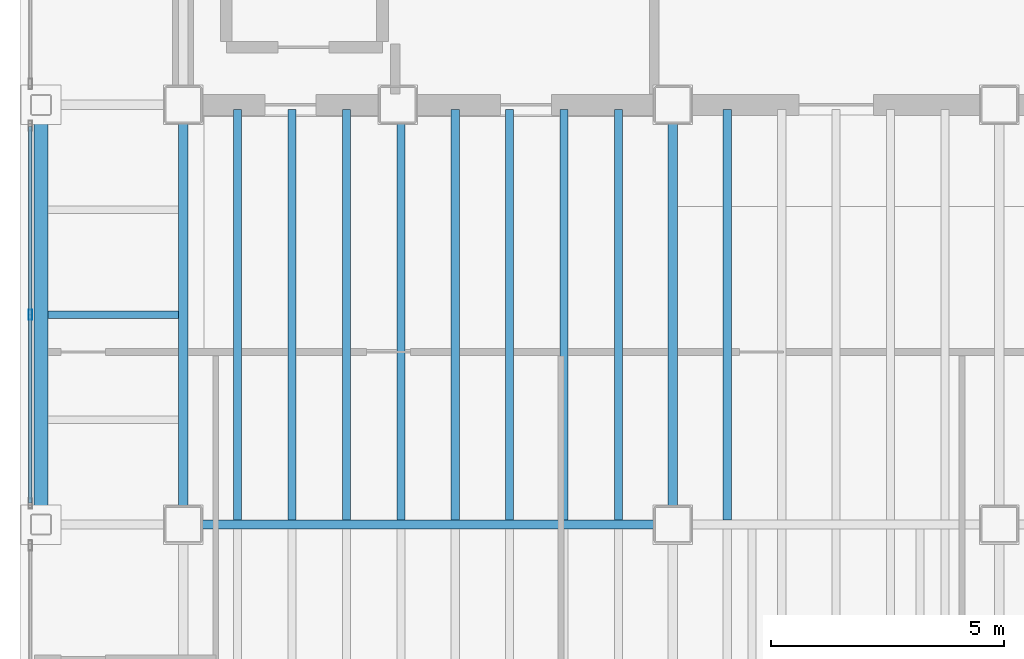
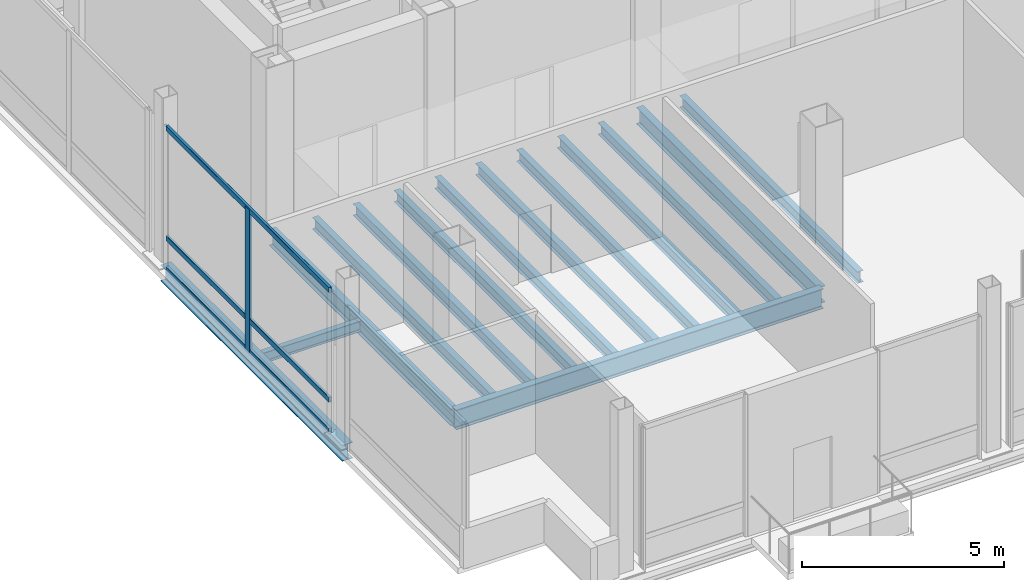
# One storey, part 3 of 15: 14 beams, 4 members, 1 element without a shape of its own.
"""IFC4 building model written with IfcOpenShell, lengths in metres."""

from ifc_helpers import new_model, si_unit, direction, frame, origin, origin_2d, place, context, subcontext, project, spatial, hollow_rectangle, i_section, extrude, material, material_profile, profile_set, type_object, element, aggregate, save


model = new_model("IFC4")

# Units and contexts
model_context = context("Model", 3, precision=1e-05, world=origin(), true_north=direction((0.0, 1.0)))
body_context = subcontext(model_context, "Body", "Model", "MODEL_VIEW")
ifc_project = project(units=[si_unit("LENGTHUNIT", "METRE"), si_unit("AREAUNIT", "SQUARE_METRE"), si_unit("VOLUMEUNIT", "CUBIC_METRE"), si_unit("PLANEANGLEUNIT", "RADIAN"), si_unit("MASSUNIT", "GRAM", prefix="KILO")], contexts=[model_context])

# Site, building, storey
site_placement = place(None, origin())
site = spatial("IfcSite", under=ifc_project, at=site_placement, CompositionType="ELEMENT")
building_placement = place(site_placement, origin())
building = spatial("IfcBuilding", under=site, at=building_placement, Name="Noeulbin Bourse Tower", CompositionType="ELEMENT")
storey_placement = place(building_placement, frame((0.0, 0.0, 206.10009765625)))
storey = spatial("IfcBuildingStorey", under=building, at=storey_placement, Name="L51", CompositionType="ELEMENT", Elevation=206.10009765625)

# Beams
ifc_material_1 = material(Name="Steel S355", Category="steel")
ifc_material_profile_1 = material_profile(ifc_material_1, i_section(OverallWidth=0.199951171875, OverallDepth=0.5, WebThickness=0.010009765625, FlangeThickness=0.01611328125, FilletRadius=0.02001953125, at=origin_2d()), Name="H-500x200x10x16", Category="LoadBearing")
ifc_profile_set_1 = profile_set([ifc_material_profile_1], Name="Steel S355")
beam_type_1 = type_object("IfcBeamType", Name="BM-GRD-500", PredefinedType="USERDEFINED", material=ifc_profile_set_1)
for number, where, z_axis, x_axis, name in (
    (1, (13.5, 20.0, -0.43017578125), (0.0, 1.0, 0.0), (-1.0, 0.0, 0.0), "Tower Primary Girder NS L51-1.2"),
    (2, (24.0, 20.0, -0.43017578125), (0.0, 1.0, 0.0), (-1.0, 0.0, 0.0), "Tower Primary Girder NS L51-2.2"),
):
    element("IfcBeam", number, at=place(storey_placement, frame(where, z_axis=z_axis, x_axis=x_axis)), inside=storey, type_object=beam_type_1, Name=name, ObjectType="GIRDER", PredefinedType="USERDEFINED", context=body_context, shape_type="SweptSolid", body=[
        extrude(i_section(OverallWidth=0.199951171875, OverallDepth=0.5, WebThickness=0.010009765625, FlangeThickness=0.01611328125, FilletRadius=0.02001953125, at=origin_2d()), origin(), (0.0, 0.0, 1.0), 9.0),
    ])
ifc_material_profile_2 = material_profile(ifc_material_1, i_section(OverallWidth=0.199951171875, OverallDepth=0.60009765625, WebThickness=0.010986328125, FlangeThickness=0.01708984375, FilletRadius=0.02197265625, at=origin_2d()), Name="H-600x200x11x17", Category="LoadBearing")
ifc_profile_set_2 = profile_set([ifc_material_profile_2], Name="Steel S355")
beam_type_2 = type_object("IfcBeamType", Name="BM-GRD-600", PredefinedType="USERDEFINED", material=ifc_profile_set_2)
beam_1_placement = place(storey_placement, frame((13.5, 20.0, -0.47998046875), z_axis=(1.0, 0.0, 0.0), x_axis=(0.0, 1.0, 0.0)))
element("IfcBeam", 3, at=beam_1_placement, inside=storey, type_object=beam_type_2, Name="Tower Primary Girder EW L51-1.2", ObjectType="GIRDER", PredefinedType="USERDEFINED", context=body_context, shape_type="SweptSolid", body=[
    extrude(i_section(OverallWidth=0.199951171875, OverallDepth=0.60009765625, WebThickness=0.010986328125, FlangeThickness=0.01708984375, FilletRadius=0.02197265625, at=origin_2d()), origin(), (0.0, 0.0, 1.0), 10.5),
])
ifc_material_profile_3 = material_profile(ifc_material_1, i_section(OverallWidth=0.159912109375, OverallDepth=0.320068359375, WebThickness=0.006591796875, FlangeThickness=0.010009765625, FilletRadius=0.012939453125, at=origin_2d()), Name="H-320x160x6.5x10", Category="LoadBearing")
ifc_profile_set_3 = profile_set([ifc_material_profile_3], Name="Steel S355")
beam_type_3 = type_object("IfcBeamType", Name="BM-JST-320", PredefinedType="JOIST", material=ifc_profile_set_3)
beam_2_placement = place(storey_placement, frame((10.60009765625, 24.5, -0.340087890625), z_axis=(1.0, 0.0, 0.0), x_axis=(0.0, 1.0, 0.0)))
element("IfcBeam", 4, at=beam_2_placement, inside=storey, type_object=beam_type_3, Name="Wing Composite Joist L51-W48", PredefinedType="JOIST", context=body_context, shape_type="SweptSolid", body=[
    extrude(i_section(OverallWidth=0.159912109375, OverallDepth=0.320068359375, WebThickness=0.006591796875, FlangeThickness=0.010009765625, FilletRadius=0.012939453125, at=origin_2d()), origin(), (0.0, 0.0, 1.0), 2.7998046875),
])
ifc_material_profile_4 = material_profile(ifc_material_1, i_section(OverallWidth=0.175048828125, OverallDepth=0.35009765625, WebThickness=0.007080078125, FlangeThickness=0.010986328125, FilletRadius=0.013916015625, at=origin_2d()), Name="H-350x175x7x11", Category="LoadBearing")
ifc_profile_set_4 = profile_set([ifc_material_profile_4], Name="Steel S355")
beam_type_4 = type_object("IfcBeamType", Name="BM-JST-350", PredefinedType="JOIST", material=ifc_profile_set_4)
for number, where, z_axis, x_axis, name in (
    (5, (14.666748046875, 20.10009765625, -0.35498046875), (0.0, 1.0, 0.0), (-1.0, 0.0, 0.0), "Tower Composite Joist L51-02"),
    (6, (15.833251953125, 20.10009765625, -0.35498046875), (0.0, 1.0, 0.0), (-1.0, 0.0, 0.0), "Tower Composite Joist L51-04"),
    (7, (17.0, 20.10009765625, -0.35498046875), (0.0, 1.0, 0.0), (-1.0, 0.0, 0.0), "Tower Composite Joist L51-06"),
    (8, (18.166748046875, 20.10009765625, -0.35498046875), (0.0, 1.0, 0.0), (-1.0, 0.0, 0.0), "Tower Composite Joist L51-08"),
    (9, (19.333251953125, 20.10009765625, -0.35498046875), (0.0, 1.0, 0.0), (-1.0, 0.0, 0.0), "Tower Composite Joist L51-10"),
    (10, (20.5, 20.10009765625, -0.35498046875), (0.0, 1.0, 0.0), (-1.0, 0.0, 0.0), "Tower Composite Joist L51-12"),
    (11, (21.666748046875, 20.10009765625, -0.35498046875), (0.0, 1.0, 0.0), (-1.0, 0.0, 0.0), "Tower Composite Joist L51-14"),
    (12, (22.833251953125, 20.10009765625, -0.35498046875), (0.0, 1.0, 0.0), (-1.0, 0.0, 0.0), "Tower Composite Joist L51-16"),
    (13, (25.166748046875, 20.10009765625, -0.35498046875), (0.0, 1.0, 0.0), (-1.0, 0.0, 0.0), "Tower Composite Joist L51-18"),
):
    element("IfcBeam", number, at=place(storey_placement, frame(where, z_axis=z_axis, x_axis=x_axis)), inside=storey, type_object=beam_type_4, Name=name, PredefinedType="JOIST", context=body_context, shape_type="SweptSolid", body=[
        extrude(i_section(OverallWidth=0.175048828125, OverallDepth=0.35009765625, WebThickness=0.007080078125, FlangeThickness=0.010986328125, FilletRadius=0.013916015625, at=origin_2d()), origin(), (0.0, 0.0, 1.0), 8.7998046875),
    ])
ifc_material_profile_5 = material_profile(ifc_material_1, i_section(OverallWidth=0.300048828125, OverallDepth=0.488037109375, WebThickness=0.010986328125, FlangeThickness=0.01806640625, FilletRadius=0.02197265625, at=origin_2d()), Name="H-488x300x11x18", Category="LoadBearing")
ifc_profile_set_5 = profile_set([ifc_material_profile_5], Name="Steel S355")
beam_type_5 = type_object("IfcBeamType", Name="BM-SPN-488", PredefinedType="SPANDREL", material=ifc_profile_set_5)
beam_3_placement = place(storey_placement, frame((10.449951171875, 20.0, -0.424072265625), z_axis=(0.0, 1.0, 0.0), x_axis=(-1.0, 0.0, 0.0)))
element("IfcBeam", 14, at=beam_3_placement, inside=storey, type_object=beam_type_5, Name="West Spandrel L51-1", PredefinedType="SPANDREL", context=body_context, shape_type="SweptSolid", body=[
    extrude(i_section(OverallWidth=0.300048828125, OverallDepth=0.488037109375, WebThickness=0.010986328125, FlangeThickness=0.01806640625, FilletRadius=0.02197265625, at=origin_2d()), origin(), (0.0, 0.0, 1.0), 9.0),
])

# Curtain wall, members
ifc_material_2 = material(Name="High-Selectivity Low-Iron Glazing", Category="glass")
curtain_wall_type = type_object("IfcCurtainWallType", Name="CW-SYS-4", PredefinedType="NOTDEFINED", material=ifc_material_2)
curtain_wall_placement = place(storey_placement, origin())
curtain_wall = element("IfcCurtainWall", 15, at=curtain_wall_placement, inside=storey, type_object=curtain_wall_type, Name="Unitised Curtain Wall CW-L51-W-S2", PredefinedType="NOTDEFINED")
ifc_material_3 = material(Name="Anodised Aluminium 6063-T6", Category="aluminium")
ifc_material_profile_6 = material_profile(ifc_material_3, hollow_rectangle(XDim=0.074951171875, YDim=0.219970703125, WallThickness=0.0048828125, InnerFilletRadius=0.00244140625, OuterFilletRadius=0.0048828125, at=origin_2d()), Name="ALU-MULL-75x220x5", Category="LoadBearing")
ifc_profile_set_6 = profile_set([ifc_material_profile_6], Name="Anodised Aluminium 6063-T6")
member_type_1 = type_object("IfcMemberType", Name="CW-SYS-4-MUL", PredefinedType="MULLION", material=ifc_profile_set_6)
member_1_placement = place(storey_placement, frame((10.219970703125, 24.5, -0.02001953125), z_axis=(0.0, 0.0, 1.0), x_axis=(1.0, 0.0, 0.0)))
member_1 = element("IfcMember", 16, at=member_1_placement, type_object=member_type_1, Name="Curtain Wall Mullion CW-L51-W-S2-M01", PredefinedType="MULLION", context=body_context, shape_type="SweptSolid", body=[
    extrude(hollow_rectangle(XDim=0.074951171875, YDim=0.219970703125, WallThickness=0.0048828125, InnerFilletRadius=0.00244140625, OuterFilletRadius=0.0048828125, at=origin_2d()), origin(), (0.0, 0.0, 1.0), 4.31982421875),
])
ifc_material_profile_7 = material_profile(ifc_material_3, hollow_rectangle(XDim=0.074951171875, YDim=0.159912109375, WallThickness=0.0048828125, InnerFilletRadius=0.00244140625, OuterFilletRadius=0.0048828125, at=origin_2d()), Name="ALU-TRAN-75x160x5", Category="LoadBearing")
ifc_profile_set_7 = profile_set([ifc_material_profile_7], Name="Anodised Aluminium 6063-T6")
member_type_2 = type_object("IfcMemberType", Name="CW-SYS-4-TRN", PredefinedType="USERDEFINED", material=ifc_profile_set_7)
member_2_placement = place(storey_placement, frame((10.219970703125, 20.4599609375, 0.010009765625), z_axis=(0.0, 1.0, 0.0), x_axis=(-1.0, 0.0, 0.0)))
member_2 = element("IfcMember", 17, at=member_2_placement, type_object=member_type_2, Name="Curtain Wall Transom CW-L51-W-S2-T00", ObjectType="TRANSOM", PredefinedType="USERDEFINED", context=body_context, shape_type="SweptSolid", body=[
    extrude(hollow_rectangle(XDim=0.074951171875, YDim=0.159912109375, WallThickness=0.0048828125, InnerFilletRadius=0.00244140625, OuterFilletRadius=0.0048828125, at=origin_2d()), origin(), (0.0, 0.0, 1.0), 8.080078125),
])
member_3_placement = place(storey_placement, frame((10.219970703125, 20.4599609375, 0.949951171875), z_axis=(0.0, 1.0, 0.0), x_axis=(-1.0, 0.0, 0.0)))
member_3 = element("IfcMember", 18, at=member_3_placement, type_object=member_type_2, Name="Curtain Wall Transom CW-L51-W-S2-T01", ObjectType="TRANSOM", PredefinedType="USERDEFINED", context=body_context, shape_type="SweptSolid", body=[
    extrude(hollow_rectangle(XDim=0.074951171875, YDim=0.159912109375, WallThickness=0.0048828125, InnerFilletRadius=0.00244140625, OuterFilletRadius=0.0048828125, at=origin_2d()), origin(), (0.0, 0.0, 1.0), 8.080078125),
])
member_4_placement = place(storey_placement, frame((10.219970703125, 20.4599609375, 4.27001953125), z_axis=(0.0, 1.0, 0.0), x_axis=(-1.0, 0.0, 0.0)))
member_4 = element("IfcMember", 19, at=member_4_placement, type_object=member_type_2, Name="Curtain Wall Transom CW-L51-W-S2-T02", ObjectType="TRANSOM", PredefinedType="USERDEFINED", context=body_context, shape_type="SweptSolid", body=[
    extrude(hollow_rectangle(XDim=0.074951171875, YDim=0.159912109375, WallThickness=0.0048828125, InnerFilletRadius=0.00244140625, OuterFilletRadius=0.0048828125, at=origin_2d()), origin(), (0.0, 0.0, 1.0), 8.080078125),
])
aggregate(curtain_wall, [member_1, member_2, member_3, member_4])

save(model, "model.ifc")
